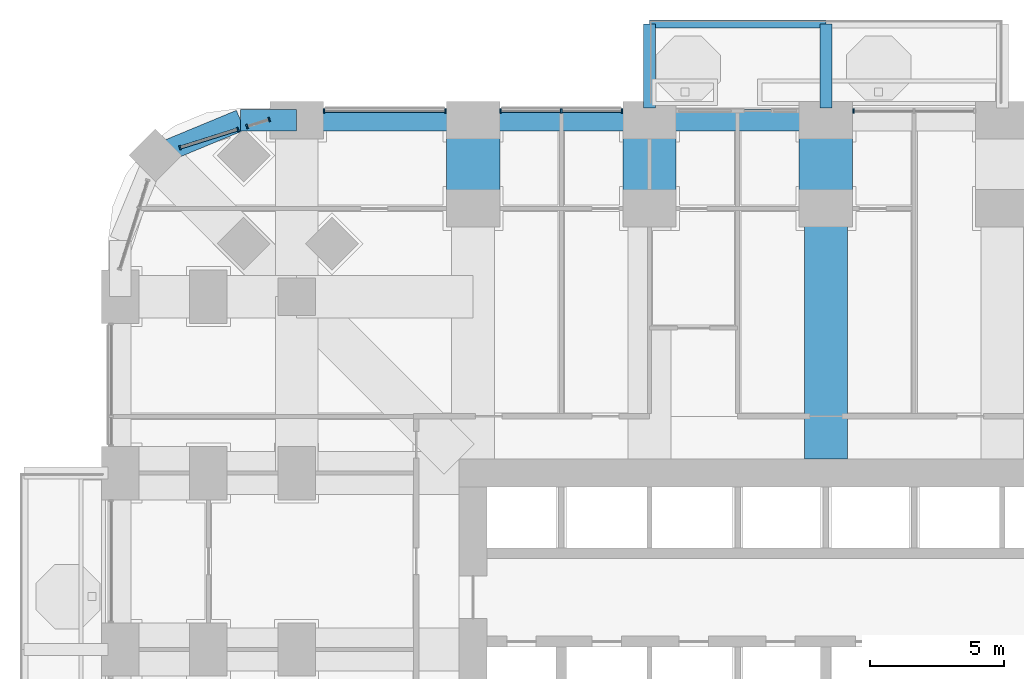
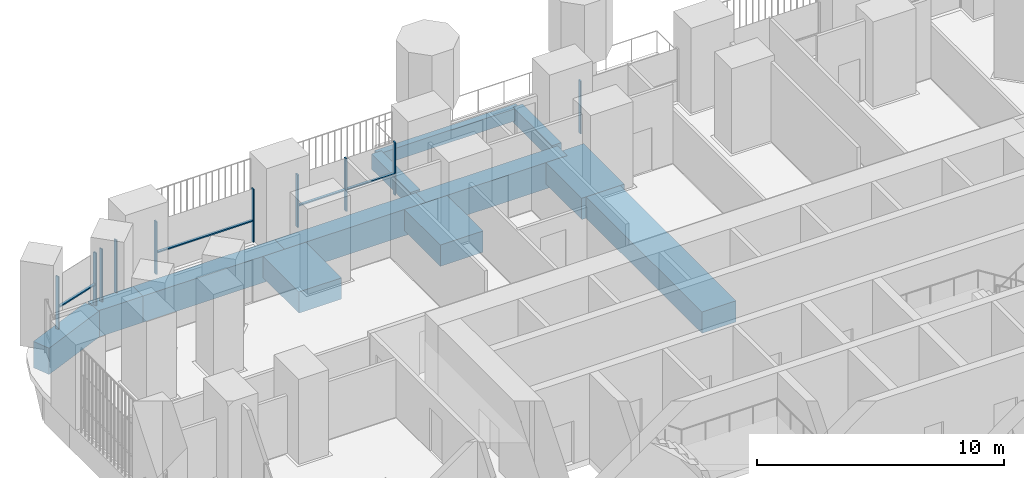
# One storey, part 7 of 25: 14 members, 12 beams, 5 elements without a shape of their own.
"""IFC4 building model written with IfcOpenShell, lengths in metres."""

from ifc_helpers import new_model, si_unit, direction, frame, origin, origin_2d, place, context, subcontext, project, spatial, rectangle, extrude, material, material_profile, profile_set, type_object, element, aggregate, save


model = new_model("IFC4")

# Units and contexts
model_context = context("Model", 3, precision=1e-05, world=origin(), true_north=direction((0.0, 1.0)))
body_context = subcontext(model_context, "Body", "Model", "MODEL_VIEW")
ifc_project = project(units=[si_unit("LENGTHUNIT", "METRE"), si_unit("AREAUNIT", "SQUARE_METRE"), si_unit("VOLUMEUNIT", "CUBIC_METRE"), si_unit("PLANEANGLEUNIT", "RADIAN"), si_unit("MASSUNIT", "GRAM", prefix="KILO")], contexts=[model_context])

# Site, building, storey
site_placement = place(None, origin())
site = spatial("IfcSite", under=ifc_project, at=site_placement, CompositionType="ELEMENT")
building_placement = place(site_placement, origin())
building = spatial("IfcBuilding", under=site, at=building_placement, Name="Cobogo Forest Laboratory Tower", CompositionType="ELEMENT")
storey_placement = place(building_placement, frame((0.0, 0.0, 67.5)))
storey = spatial("IfcBuildingStorey", under=building, at=storey_placement, Name="L15", CompositionType="ELEMENT", Elevation=67.5)

# Beams
ifc_material_1 = material(Name="Concrete HA-40 (C40/50)", Category="concrete")
ifc_material_profile_1 = material_profile(ifc_material_1, rectangle(XDim=0.449951171875, YDim=0.75, at=origin_2d()), Name="RC 450x750")
ifc_profile_set_1 = profile_set([ifc_material_profile_1], Name="Concrete HA-40 (C40/50)")
beam_type_1 = type_object("IfcBeamType", Name="Balcony cantilever beam 450x750", PredefinedType="BEAM", material=ifc_profile_set_1)
for number, where, z_axis, x_axis, name in (
    (1, (19.800048828125, 46.64990234375, -0.625), (0.0, 1.0, 0.0), (-1.0, 0.0, 0.0), "CB1 BAL-N1-C1 L15"),
    (2, (26.39990234375, 46.64990234375, -0.625), (0.0, 1.0, 0.0), (-1.0, 0.0, 0.0), "CB1 BAL-N1-C2 L15"),
):
    element("IfcBeam", number, at=place(storey_placement, frame(where, z_axis=z_axis, x_axis=x_axis)), inside=storey, type_object=beam_type_1, Name=name, PredefinedType="BEAM", context=body_context, shape_type="SweptSolid", body=[
        extrude(rectangle(XDim=0.449951171875, YDim=0.75, at=origin_2d()), origin(), (0.0, 0.0, 1.0), 3.150146484375),
    ])
ifc_material_profile_2 = material_profile(ifc_material_1, rectangle(XDim=0.300048828125, YDim=0.60009765625, at=origin_2d()), Name="RC 300x600")
ifc_profile_set_2 = profile_set([ifc_material_profile_2], Name="Concrete HA-40 (C40/50)")
beam_type_2 = type_object("IfcBeamType", Name="Balcony edge beam 300x600", PredefinedType="BEAM", material=ifc_profile_set_2)
beam_1_placement = place(storey_placement, frame((19.800048828125, 49.800048828125, -0.550048828125), z_axis=(1.0, 0.0, 0.0), x_axis=(0.0, 1.0, 0.0)))
element("IfcBeam", 3, at=beam_1_placement, inside=storey, type_object=beam_type_2, Name="BB1 BAL-N1-T1 L15", PredefinedType="BEAM", context=body_context, shape_type="SweptSolid", body=[
    extrude(rectangle(XDim=0.300048828125, YDim=0.60009765625, at=origin_2d()), origin(), (0.0, 0.0, 1.0), 6.599853515625),
])
ifc_material_2 = material(Name="Concrete HA-50 (C50/60)", Category="concrete")
ifc_material_profile_3 = material_profile(ifc_material_2, rectangle(XDim=2.0, YDim=1.050048828125, at=origin_2d()), Name="RC 2000x1050")
ifc_profile_set_3 = profile_set([ifc_material_profile_3], Name="Concrete HA-50 (C50/60)")
beam_type_3 = type_object("IfcBeamType", Name="End-bay wide beam 2000x1050", PredefinedType="BEAM", material=ifc_profile_set_3)
for number, where, z_axis, x_axis, name in (
    (4, (13.199951171875, 46.199951171875, -0.824951171875), (0.0, -1.0, 0.0), (1.0, 0.0, 0.0), "RB7 R-3-N-X L15"),
    (5, (19.800048828125, 46.199951171875, -0.824951171875), (0.0, -1.0, 0.0), (1.0, 0.0, 0.0), "RB7 R-4-N-X L15"),
    (6, (26.39990234375, 46.199951171875, -0.824951171875), (0.0, -1.0, 0.0), (1.0, 0.0, 0.0), "RB7 R-5-N-X L15"),
):
    element("IfcBeam", number, at=place(storey_placement, frame(where, z_axis=z_axis, x_axis=x_axis)), inside=storey, type_object=beam_type_3, Name=name, PredefinedType="BEAM", context=body_context, shape_type="SweptSolid", body=[
        extrude(rectangle(XDim=2.0, YDim=1.050048828125, at=origin_2d()), origin(), (0.0, 0.0, 1.0), 3.300048828125),
    ])
ifc_material_profile_4 = material_profile(ifc_material_2, rectangle(XDim=1.60009765625, YDim=1.050048828125, at=origin_2d()), Name="RC 1600x1050")
ifc_profile_set_4 = profile_set([ifc_material_profile_4], Name="Concrete HA-50 (C50/60)")
beam_type_4 = type_object("IfcBeamType", Name="Laboratory floor wide beam 1600x1050", PredefinedType="BEAM", material=ifc_profile_set_4)
beam_2_placement = place(storey_placement, frame((26.39990234375, 33.52490234375, -0.824951171875), z_axis=(0.0, 1.0, 0.0), x_axis=(-1.0, 0.0, 0.0)))
element("IfcBeam", 7, at=beam_2_placement, inside=storey, type_object=beam_type_4, Name="RB8 R-5-N L15", PredefinedType="BEAM", context=body_context, shape_type="SweptSolid", body=[
    extrude(rectangle(XDim=1.60009765625, YDim=1.050048828125, at=origin_2d()), origin(), (0.0, 0.0, 1.0), 9.375),
])

# Curtain wall, member
ifc_material_3 = material(Name="Aluminium curtain wall", Category="aluminium")
curtain_wall_type = type_object("IfcCurtainWallType", Name="CW-1 unitised curtain wall, clear glazing, laboratory floors zones A and B", PredefinedType="USERDEFINED", material=ifc_material_3)
curtain_wall_1_placement = place(storey_placement, origin())
curtain_wall_1 = element("IfcCurtainWall", 8, at=curtain_wall_1_placement, inside=storey, type_object=curtain_wall_type, Name="Curtain wall 20 L15", ObjectType="UNITISED CURTAIN WALL", PredefinedType="USERDEFINED")
ifc_material_4 = material(Name="Aluminium mullion", Category="aluminium")
ifc_material_profile_5 = material_profile(ifc_material_4, rectangle(XDim=0.06005859375, YDim=0.159912109375, at=origin_2d()), Name="AL 60x160")
ifc_profile_set_5 = profile_set([ifc_material_profile_5], Name="Aluminium mullion")
member_type_1 = type_object("IfcMemberType", Name="MU-1 aluminium mullion 60x160", PredefinedType="MULLION", material=ifc_profile_set_5)
member_1_placement = place(storey_placement, frame((27.429931640625, 46.550048828125, 0.0), z_axis=(0.0, 0.0, 1.0), x_axis=(-1.0, 0.0, 0.0)))
member_1 = element("IfcMember", 9, at=member_1_placement, type_object=member_type_1, Name="CW-1 mullion 3", PredefinedType="MULLION", context=body_context, shape_type="SweptSolid", body=[
    extrude(rectangle(XDim=0.06005859375, YDim=0.159912109375, at=origin_2d()), origin(), (0.0, 0.0, 1.0), 2.60009765625),
])
aggregate(curtain_wall_1, [member_1])

# Curtain wall, members
curtain_wall_2_placement = place(storey_placement, origin())
curtain_wall_2 = element("IfcCurtainWall", 10, at=curtain_wall_2_placement, inside=storey, type_object=curtain_wall_type, Name="Curtain wall 22 L15", ObjectType="UNITISED CURTAIN WALL", PredefinedType="USERDEFINED")
member_2_placement = place(storey_placement, frame((18.77001953125, 46.550048828125, 0.0), z_axis=(0.0, 0.0, 1.0), x_axis=(-1.0, 0.0, 0.0)))
member_2 = element("IfcMember", 11, at=member_2_placement, type_object=member_type_1, Name="CW-1 mullion 1", PredefinedType="MULLION", context=body_context, shape_type="SweptSolid", body=[
    extrude(rectangle(XDim=0.06005859375, YDim=0.159912109375, at=origin_2d()), origin(), (0.0, 0.0, 1.0), 2.60009765625),
])
member_3_placement = place(storey_placement, frame((16.5, 46.550048828125, 0.0), z_axis=(0.0, 0.0, 1.0), x_axis=(-1.0, 0.0, 0.0)))
member_3 = element("IfcMember", 12, at=member_3_placement, type_object=member_type_1, Name="CW-1 mullion 2", PredefinedType="MULLION", context=body_context, shape_type="SweptSolid", body=[
    extrude(rectangle(XDim=0.06005859375, YDim=0.159912109375, at=origin_2d()), origin(), (0.0, 0.0, 1.0), 2.60009765625),
])
member_4_placement = place(storey_placement, frame((14.22998046875, 46.550048828125, 0.0), z_axis=(0.0, 0.0, 1.0), x_axis=(-1.0, 0.0, 0.0)))
member_4 = element("IfcMember", 13, at=member_4_placement, type_object=member_type_1, Name="CW-1 mullion 3", PredefinedType="MULLION", context=body_context, shape_type="SweptSolid", body=[
    extrude(rectangle(XDim=0.06005859375, YDim=0.159912109375, at=origin_2d()), origin(), (0.0, 0.0, 1.0), 2.60009765625),
])

curtain_wall_3_placement = place(storey_placement, origin())
curtain_wall_3 = element("IfcCurtainWall", 14, at=curtain_wall_3_placement, inside=storey, type_object=curtain_wall_type, Name="Curtain wall 23 L15", ObjectType="UNITISED CURTAIN WALL", PredefinedType="USERDEFINED")
member_5_placement = place(storey_placement, frame((12.169921875, 46.550048828125, 0.0), z_axis=(0.0, 0.0, 1.0), x_axis=(-1.0, 0.0, 0.0)))
member_5 = element("IfcMember", 15, at=member_5_placement, type_object=member_type_1, Name="CW-1 mullion 1", PredefinedType="MULLION", context=body_context, shape_type="SweptSolid", body=[
    extrude(rectangle(XDim=0.06005859375, YDim=0.159912109375, at=origin_2d()), origin(), (0.0, 0.0, 1.0), 2.60009765625),
])
member_6_placement = place(storey_placement, frame((7.6298828125, 46.550048828125, 0.0), z_axis=(0.0, 0.0, 1.0), x_axis=(-1.0, 0.0, 0.0)))
member_6 = element("IfcMember", 16, at=member_6_placement, type_object=member_type_1, Name="CW-1 mullion 2", PredefinedType="MULLION", context=body_context, shape_type="SweptSolid", body=[
    extrude(rectangle(XDim=0.06005859375, YDim=0.159912109375, at=origin_2d()), origin(), (0.0, 0.0, 1.0), 2.60009765625),
])

curtain_wall_4_placement = place(storey_placement, origin())
curtain_wall_4 = element("IfcCurtainWall", 17, at=curtain_wall_4_placement, inside=storey, type_object=curtain_wall_type, Name="Curtain wall 24 L15", ObjectType="UNITISED CURTAIN WALL", PredefinedType="USERDEFINED")
member_7_placement = place(storey_placement, frame((5.5712890625, 46.22509765625, 0.0), z_axis=(0.0, 0.0, 1.0), x_axis=(-0.953581406818, -0.301135352577, 0.0)))
member_7 = element("IfcMember", 18, at=member_7_placement, type_object=member_type_1, Name="CW-1 mullion 1", PredefinedType="MULLION", context=body_context, shape_type="SweptSolid", body=[
    extrude(rectangle(XDim=0.06005859375, YDim=0.159912109375, at=origin_2d()), origin(), (0.0, 0.0, 1.0), 2.60009765625),
])
member_8_placement = place(storey_placement, frame((4.74658203125, 45.96484375, 0.0), z_axis=(0.0, 0.0, 1.0), x_axis=(-0.953581406818, -0.301135352577, 0.0)))
member_8 = element("IfcMember", 19, at=member_8_placement, type_object=member_type_1, Name="CW-1 mullion 2", PredefinedType="MULLION", context=body_context, shape_type="SweptSolid", body=[
    extrude(rectangle(XDim=0.06005859375, YDim=0.159912109375, at=origin_2d()), origin(), (0.0, 0.0, 1.0), 2.60009765625),
])
aggregate(curtain_wall_4, [member_7, member_8])

curtain_wall_5_placement = place(storey_placement, origin())
curtain_wall_5 = element("IfcCurtainWall", 20, at=curtain_wall_5_placement, inside=storey, type_object=curtain_wall_type, Name="Curtain wall 25 L15", ObjectType="UNITISED CURTAIN WALL", PredefinedType="USERDEFINED")
member_9_placement = place(storey_placement, frame((4.39697265625, 45.854248046875, 0.0), z_axis=(0.0, 0.0, 1.0), x_axis=(-0.953581409645, -0.301135343623, 0.0)))
member_9 = element("IfcMember", 21, at=member_9_placement, type_object=member_type_1, Name="CW-1 mullion 1", PredefinedType="MULLION", context=body_context, shape_type="SweptSolid", body=[
    extrude(rectangle(XDim=0.06005859375, YDim=0.159912109375, at=origin_2d()), origin(), (0.0, 0.0, 1.0), 2.60009765625),
])
member_10_placement = place(storey_placement, frame((2.23876953125, 45.1728515625, 0.0), z_axis=(0.0, 0.0, 1.0), x_axis=(-0.953581409645, -0.301135343623, 0.0)))
member_10 = element("IfcMember", 22, at=member_10_placement, type_object=member_type_1, Name="CW-1 mullion 2", PredefinedType="MULLION", context=body_context, shape_type="SweptSolid", body=[
    extrude(rectangle(XDim=0.06005859375, YDim=0.159912109375, at=origin_2d()), origin(), (0.0, 0.0, 1.0), 2.60009765625),
])

# Beams
ifc_material_profile_6 = material_profile(ifc_material_1, rectangle(XDim=0.800048828125, YDim=1.300048828125, at=origin_2d()), Name="RC 800x1300")
ifc_profile_set_6 = profile_set([ifc_material_profile_6], Name="Concrete HA-40 (C40/50)")
beam_type_5 = type_object("IfcBeamType", Name="Perimeter edge beam 800x1300", PredefinedType="BEAM", material=ifc_profile_set_6)
beam_3_placement = place(storey_placement, frame((6.60009765625, 46.199951171875, -0.949951171875), z_axis=(1.0, 0.0, 0.0), x_axis=(0.0, 1.0, 0.0)))
element("IfcBeam", 23, at=beam_3_placement, inside=storey, type_object=beam_type_5, Name="EB2 E-N1 L15", PredefinedType="BEAM", context=body_context, shape_type="SweptSolid", body=[
    extrude(rectangle(XDim=0.800048828125, YDim=1.300048828125, at=origin_2d()), origin(), (0.0, 0.0, 1.0), 6.599853515625),
])
beam_4_placement = place(storey_placement, frame((13.199951171875, 46.199951171875, -0.949951171875), z_axis=(1.0, 0.0, 0.0), x_axis=(0.0, 1.0, 0.0)))
element("IfcBeam", 24, at=beam_4_placement, inside=storey, type_object=beam_type_5, Name="EB2 E-N2 L15", PredefinedType="BEAM", context=body_context, shape_type="SweptSolid", body=[
    extrude(rectangle(XDim=0.800048828125, YDim=1.300048828125, at=origin_2d()), origin(), (0.0, 0.0, 1.0), 6.60009765625),
])
beam_5_placement = place(storey_placement, frame((19.800048828125, 46.199951171875, -0.949951171875), z_axis=(1.0, 0.0, 0.0), x_axis=(0.0, 1.0, 0.0)))
element("IfcBeam", 25, at=beam_5_placement, inside=storey, type_object=beam_type_5, Name="EB2 E-N3 L15", PredefinedType="BEAM", context=body_context, shape_type="SweptSolid", body=[
    extrude(rectangle(XDim=0.800048828125, YDim=1.300048828125, at=origin_2d()), origin(), (0.0, 0.0, 1.0), 6.599853515625),
])
beam_6_placement = place(storey_placement, frame((6.60009765625, 46.199951171875, -0.949951171875), z_axis=(-1.0, 0.0, 0.0), x_axis=(0.0, -1.0, 0.0)))
element("IfcBeam", 26, at=beam_6_placement, inside=storey, type_object=beam_type_5, Name="EB2 E-NWN1 L15", PredefinedType="BEAM", context=body_context, shape_type="SweptSolid", body=[
    extrude(rectangle(XDim=0.800048828125, YDim=1.300048828125, at=origin_2d()), origin(), (0.0, 0.0, 1.0), 2.10009765625),
])
beam_7_placement = place(storey_placement, frame((4.5, 46.199951171875, -0.949951171875), z_axis=(-0.923890694089, -0.382656484822, 0.0), x_axis=(0.382656484822, -0.923890694089, 0.0)))
element("IfcBeam", 27, at=beam_7_placement, inside=storey, type_object=beam_type_5, Name="EB2 E-NWN2 L15", PredefinedType="BEAM", context=body_context, shape_type="SweptSolid", body=[
    extrude(rectangle(XDim=0.800048828125, YDim=1.300048828125, at=origin_2d()), origin(), (0.0, 0.0, 1.0), 3.444091796875),
])

# Member
ifc_material_5 = material(Name="Aluminium transom", Category="aluminium")
ifc_material_profile_7 = material_profile(ifc_material_5, rectangle(XDim=0.1201171875, YDim=0.06005859375, at=origin_2d()), Name="AL 60x120")
ifc_profile_set_7 = profile_set([ifc_material_profile_7], Name="Aluminium transom")
member_type_2 = type_object("IfcMemberType", Name="TR-1 aluminium transom 60x120", PredefinedType="USERDEFINED", material=ifc_profile_set_7)
member_11_placement = place(storey_placement, frame((18.739990234375, 46.550048828125, 1.050048828125), z_axis=(-1.0, 0.0, 0.0), x_axis=(0.0, -1.0, 0.0)))
member_11 = element("IfcMember", 28, at=member_11_placement, type_object=member_type_2, Name="CW-1 transom 1.1", ObjectType="TRANSOM", PredefinedType="USERDEFINED", context=body_context, shape_type="SweptSolid", body=[
    extrude(rectangle(XDim=0.1201171875, YDim=0.06005859375, at=origin_2d()), origin(), (0.0, 0.0, 1.0), 2.2099609375),
])

member_12_placement = place(storey_placement, frame((16.469970703125, 46.550048828125, 1.050048828125), z_axis=(-1.0, 0.0, 0.0), x_axis=(0.0, -1.0, 0.0)))
member_12 = element("IfcMember", 29, at=member_12_placement, type_object=member_type_2, Name="CW-1 transom 2.1", ObjectType="TRANSOM", PredefinedType="USERDEFINED", context=body_context, shape_type="SweptSolid", body=[
    extrude(rectangle(XDim=0.1201171875, YDim=0.06005859375, at=origin_2d()), origin(), (0.0, 0.0, 1.0), 2.2099609375),
])

aggregate(curtain_wall_2, [member_2, member_3, member_4, member_11, member_12])

member_13_placement = place(storey_placement, frame((12.139892578125, 46.550048828125, 1.050048828125), z_axis=(-1.0, 0.0, 0.0), x_axis=(0.0, -1.0, 0.0)))
member_13 = element("IfcMember", 30, at=member_13_placement, type_object=member_type_2, Name="CW-1 transom 1.1", ObjectType="TRANSOM", PredefinedType="USERDEFINED", context=body_context, shape_type="SweptSolid", body=[
    extrude(rectangle(XDim=0.1201171875, YDim=0.06005859375, at=origin_2d()), origin(), (0.0, 0.0, 1.0), 4.47998046875),
])

aggregate(curtain_wall_3, [member_5, member_6, member_13])

member_14_placement = place(storey_placement, frame((4.368408203125, 45.84521484375, 1.050048828125), z_axis=(-0.953604433273, -0.301062426819, 0.0), x_axis=(0.301062426819, -0.953604433273, 0.0)))
member_14 = element("IfcMember", 31, at=member_14_placement, type_object=member_type_2, Name="CW-1 transom 1.1", ObjectType="TRANSOM", PredefinedType="USERDEFINED", context=body_context, shape_type="SweptSolid", body=[
    extrude(rectangle(XDim=0.1201171875, YDim=0.06005859375, at=origin_2d()), origin(), (0.0, 0.0, 1.0), 2.203369140625),
])

aggregate(curtain_wall_5, [member_9, member_10, member_14])

save(model, "model.ifc")
